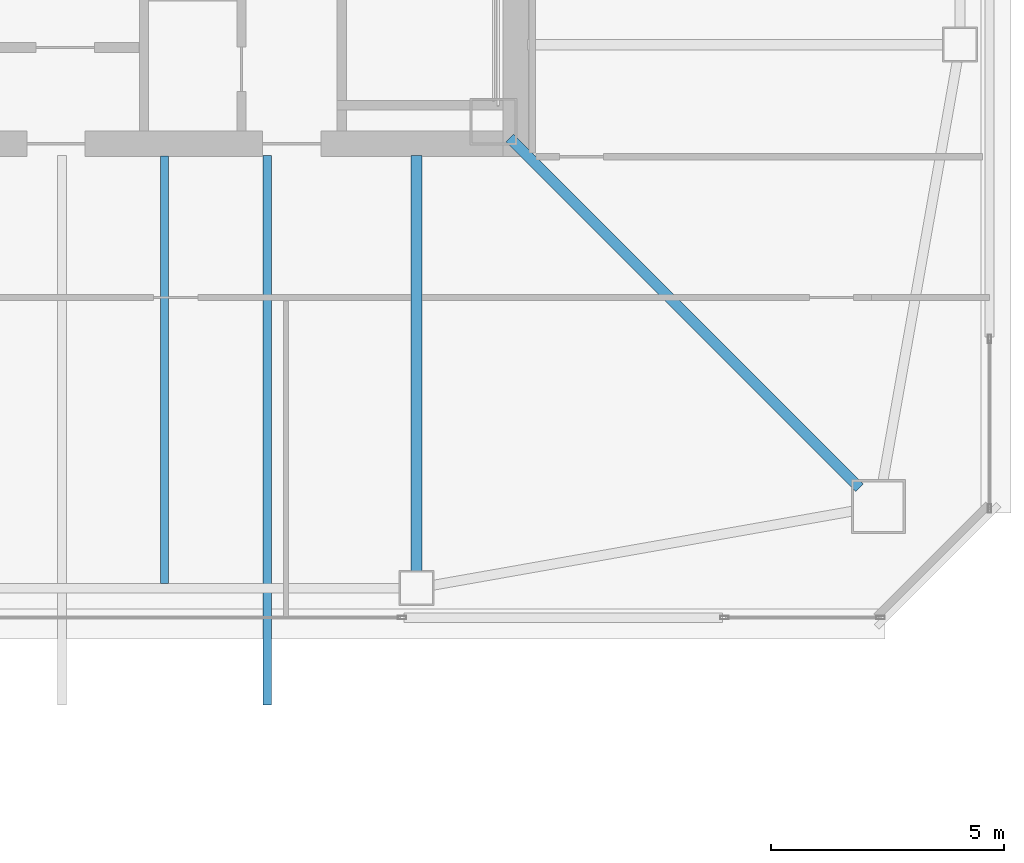
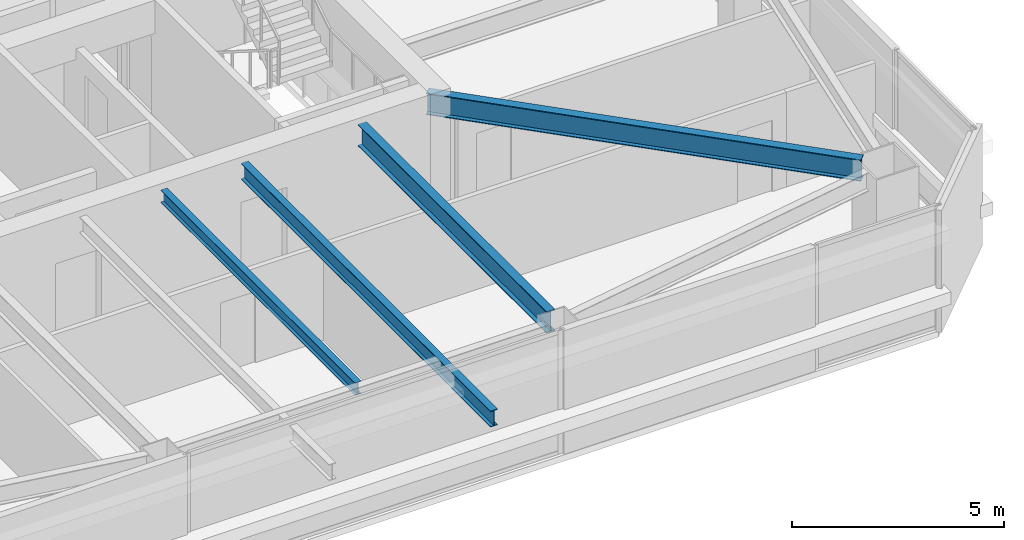
# One storey, part 6 of 41: 4 beams.
"""IFC4 building model written with IfcOpenShell, lengths in metres."""

from ifc_helpers import new_model, si_unit, direction, frame, origin, origin_2d, place, context, subcontext, project, spatial, i_section, extrude, material, material_profile, profile_set, type_object, element, save


model = new_model("IFC4")

# Units and contexts
model_context = context("Model", 3, precision=1e-05, world=origin(), true_north=direction((0.0, 1.0)))
body_context = subcontext(model_context, "Body", "Model", "MODEL_VIEW")
ifc_project = project(units=[si_unit("LENGTHUNIT", "METRE"), si_unit("AREAUNIT", "SQUARE_METRE"), si_unit("VOLUMEUNIT", "CUBIC_METRE"), si_unit("PLANEANGLEUNIT", "RADIAN"), si_unit("MASSUNIT", "GRAM", prefix="KILO")], contexts=[model_context])

# Site, building, storey
site_placement = place(None, origin())
site = spatial("IfcSite", under=ifc_project, at=site_placement, CompositionType="ELEMENT")
building_placement = place(site_placement, origin())
building = spatial("IfcBuilding", under=site, at=building_placement, Name="Tashvorn Skyway Center", CompositionType="ELEMENT")
storey_placement = place(building_placement, frame((0.0, 0.0, 174.75)))
storey = spatial("IfcBuildingStorey", under=building, at=storey_placement, Name="L47", CompositionType="ELEMENT", Elevation=174.75)

# Beams
ifc_material = material(Name="Steel ASTM A992 Grade 50", Category="steel")
ifc_material_profile_1 = material_profile(ifc_material, i_section(OverallWidth=0.22998046875, OverallDepth=0.616943359375, WebThickness=0.01318359375, FlangeThickness=0.022216796875, at=origin_2d()), Name="W24X94")
ifc_profile_set_1 = profile_set([ifc_material_profile_1], Name="Steel ASTM A992 Grade 50")
beam_type_1 = type_object("IfcBeamType", Name="BM-BEAM-W24X94", PredefinedType="BEAM", material=ifc_profile_set_1)
beam_1_placement = place(storey_placement, frame((56.89697265625, 17.10302734375, 3.0615234375), z_axis=(-0.707106781187, 0.707106781187, 0.0), x_axis=(-0.707106781187, -0.707106781187, 0.0)))
element("IfcBeam", 1, at=beam_1_placement, inside=storey, type_object=beam_type_1, Name="Tower 1 L47 Primary Floor Girder MC-SE", PredefinedType="BEAM", context=body_context, shape_type="SweptSolid", body=[
    extrude(i_section(OverallWidth=0.22998046875, OverallDepth=0.616943359375, WebThickness=0.01318359375, FlangeThickness=0.022216796875, at=origin_2d()), origin(), (0.0, 0.0, 1.0), 10.6025390625),
])
beam_2_placement = place(storey_placement, frame((47.39990234375, 15.320068359375, 3.0615234375), z_axis=(0.0, 1.0, 0.0), x_axis=(-1.0, 0.0, 0.0)))
element("IfcBeam", 2, at=beam_2_placement, inside=storey, type_object=beam_type_1, Name="Tower 1 L47 Primary Floor Girder FC-S2", PredefinedType="BEAM", context=body_context, shape_type="SweptSolid", body=[
    extrude(i_section(OverallWidth=0.22998046875, OverallDepth=0.616943359375, WebThickness=0.01318359375, FlangeThickness=0.022216796875, at=origin_2d()), origin(), (0.0, 0.0, 1.0), 8.89990234375),
])
ifc_material_profile_2 = material_profile(ifc_material, i_section(OverallWidth=0.1708984375, OverallDepth=0.35498046875, WebThickness=0.007080078125, FlangeThickness=0.01171875, at=origin_2d()), Name="W14X34")
ifc_profile_set_2 = profile_set([ifc_material_profile_2], Name="Steel ASTM A992 Grade 50")
beam_type_2 = type_object("IfcBeamType", Name="BM-JOIST-W14X34", PredefinedType="JOIST", material=ifc_profile_set_2)
beam_3_placement = place(storey_placement, frame((42.0, 24.2099609375, 3.1923828125), z_axis=(0.0, -1.0, 0.0), x_axis=(1.0, 0.0, 0.0)))
element("IfcBeam", 3, at=beam_3_placement, inside=storey, type_object=beam_type_2, Name="Tower 1 L47 Secondary Composite Joist JS", PredefinedType="JOIST", context=body_context, shape_type="SweptSolid", body=[
    extrude(i_section(OverallWidth=0.1708984375, OverallDepth=0.35498046875, WebThickness=0.007080078125, FlangeThickness=0.01171875, at=origin_2d()), origin(), (0.0, 0.0, 1.0), 9.162353515625),
])
ifc_material_profile_3 = material_profile(ifc_material, i_section(OverallWidth=0.19091796875, OverallDepth=0.4599609375, WebThickness=0.010009765625, FlangeThickness=0.01611328125, at=origin_2d()), Name="W18X55")
ifc_profile_set_3 = profile_set([ifc_material_profile_3], Name="Steel ASTM A992 Grade 50")
beam_type_3 = type_object("IfcBeamType", Name="BM-JOIST-W18X55", PredefinedType="JOIST", material=ifc_profile_set_3)
beam_4_placement = place(storey_placement, frame((44.199951171875, 24.219970703125, 3.139892578125), z_axis=(0.0, -1.0, 0.0), x_axis=(1.0, 0.0, 0.0)))
element("IfcBeam", 4, at=beam_4_placement, inside=storey, type_object=beam_type_3, Name="Tower 1 L48 Terrace Cantilever Outlooker 2", PredefinedType="JOIST", context=body_context, shape_type="SweptSolid", body=[
    extrude(i_section(OverallWidth=0.19091796875, OverallDepth=0.4599609375, WebThickness=0.010009765625, FlangeThickness=0.01611328125, at=origin_2d()), origin(), (0.0, 0.0, 1.0), 11.77001953125),
])

save(model, "model.ifc")
